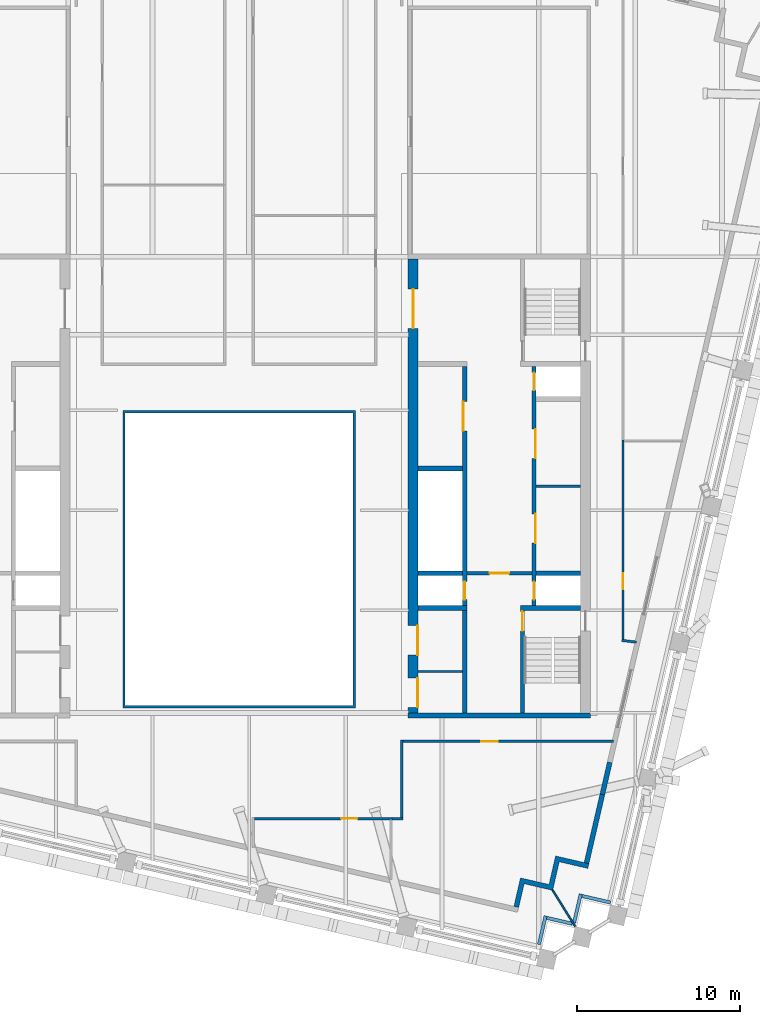
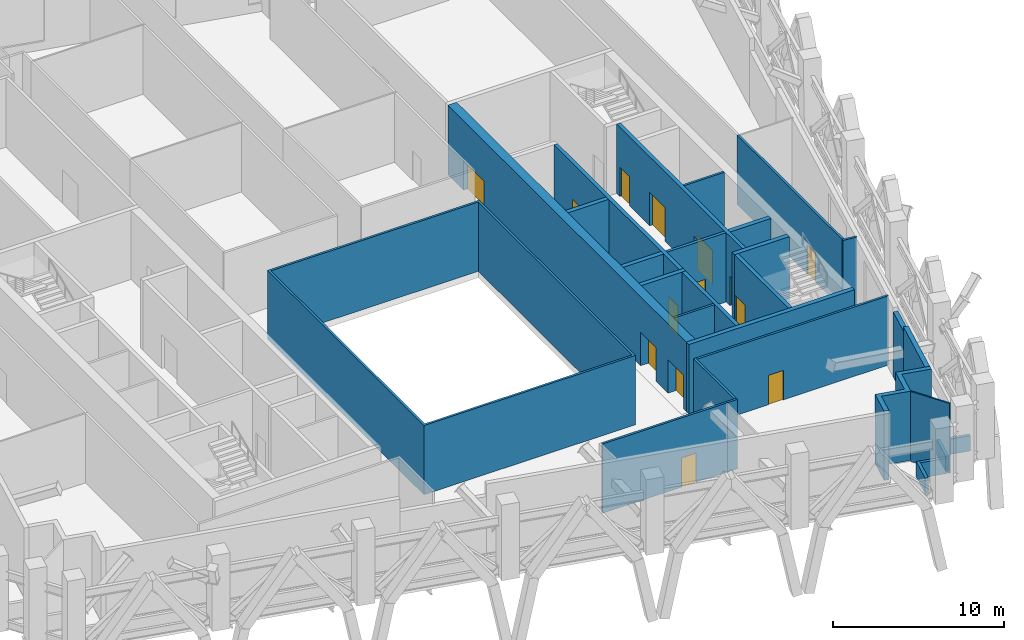
# One storey, part 7 of 19: 28 walls, 14 doors, 14 openings.
"""IFC4 building model written with IfcOpenShell, lengths in metres."""

from ifc_helpers import new_model, si_unit, direction, frame, frame_2d, origin, place, context, subcontext, project, spatial, polyline, rectangle, outline, extrude, material, layer, layer_set, type_object, element, fill, save


model = new_model("IFC4")

# Units and contexts
model_context = context("Model", 3, precision=1e-05, world=origin(), true_north=direction((0.0, 1.0)))
body_context = subcontext(model_context, "Body", "Model", "MODEL_VIEW")
ifc_project = project(units=[si_unit("LENGTHUNIT", "METRE"), si_unit("AREAUNIT", "SQUARE_METRE"), si_unit("VOLUMEUNIT", "CUBIC_METRE"), si_unit("PLANEANGLEUNIT", "RADIAN"), si_unit("MASSUNIT", "GRAM", prefix="KILO")], contexts=[model_context])

# Site, building, storey
site_placement = place(None, origin())
site = spatial("IfcSite", under=ifc_project, at=site_placement, CompositionType="ELEMENT")
building_placement = place(site_placement, origin())
building = spatial("IfcBuilding", under=site, at=building_placement, Name="Ogive Exchange Tower", CompositionType="ELEMENT")
storey_placement = place(building_placement, frame((0.0, 0.0, 297.60009765625)))
storey = spatial("IfcBuildingStorey", under=building, at=storey_placement, Name="L65", CompositionType="ELEMENT", Elevation=297.60009765625)

# Walls
ifc_material_1 = material(Name="Gypsum board partition")
ifc_layer_1 = layer(ifc_material_1, 0.14990234375)
ifc_layer_set_1 = layer_set([ifc_layer_1], Name="Core room partition 150 gypsum")
wall_type_1 = type_object("IfcWallType", Name="Core room partition 150 gypsum", PredefinedType="PARTITIONING", material=ifc_layer_set_1)
for number, where, z_axis, x_axis, name in (
    (1, (18.25, 11.5, 0.0), (0.0, 0.0, 1.0), (1.0, 0.0, 0.0), "E row A bay partition 1-1"),
    (2, (11.0, 0.10009765625, 0.0), (0.0, 0.0, 1.0), (1.0, 0.0, 0.0), "E south room partition"),
):
    element("IfcWall", number, at=place(storey_placement, frame(where, z_axis=z_axis, x_axis=x_axis)), inside=storey, type_object=wall_type_1, Name=name, PredefinedType="PARTITIONING", context=body_context, shape_type="SweptSolid", body=[
        extrude(rectangle(XDim=2.75, YDim=0.14990234375, at=frame_2d((1.375, 0.0))), origin(), (0.0, 0.0, 1.0), 4.949951171875),
    ])

# Wall, opening, door
ifc_material_2 = material(Name="Fire partition EI 60 150")
ifc_layer_2 = layer(ifc_material_2, 0.14990234375)
ifc_layer_set_2 = layer_set([ifc_layer_2], Name="Fire partition EI 60 150")
wall_type_2 = type_object("IfcWallType", Name="Fire partition EI 60 150", PredefinedType="PARTITIONING", material=ifc_layer_set_2)
wall_1_placement = place(storey_placement, frame((9.389892578125, -8.93994140625, 0.0), z_axis=(0.0, 0.0, 1.0), x_axis=(-1.0, 0.0, 0.0)))
wall_1 = element("IfcWall", 3, at=wall_1_placement, inside=storey, type_object=wall_type_2, Name="L65-PWL-031", PredefinedType="PARTITIONING", context=body_context, shape_type="SweptSolid", body=[
    extrude(rectangle(XDim=8.434814453125, YDim=0.14990234375, at=frame_2d((4.21728515625, 0.0))), origin(), (0.0, 0.0, 1.0), 4.949951171875),
])
opening_1_placement = place(wall_1_placement, frame((2.110107421875, 0.0, 0.0)))
opening_1 = element("IfcOpeningElement", 4, at=opening_1_placement, cuts=wall_1, Name="Opening L65-I13", PredefinedType="OPENING", context=body_context, shape_type="SweptSolid", body=[
    extrude(rectangle(XDim=1.0, YDim=2.10009765625, at=frame_2d((0.5, 1.050048828125))), frame((0.0, 0.0849609375, 0.0), z_axis=(0.0, -1.0, 0.0), x_axis=(1.0, 0.0, 0.0)), (0.0, 0.0, 1.0), 0.169921875),
])
ifc_material_3 = material(Name="Fire door FD 30S 1000 x 2100")
door_type_1 = type_object("IfcDoorType", Name="Fire door FD 30S 1000 x 2100", OperationType="NOTDEFINED", PredefinedType="DOOR", material=ifc_material_3)
door_1_placement = place(opening_1_placement, origin())
door_1 = element("IfcDoor", 5, at=door_1_placement, inside=storey, type_object=door_type_1, Name="L65-IDR-013", ObjectType="DT3", OperationType="SINGLE_SWING_RIGHT", OverallHeight=2.10009765625, OverallWidth=1.0, PredefinedType="DOOR", context=body_context, shape_type="SweptSolid", body=[
    extrude(rectangle(XDim=1.0, YDim=2.10009765625, at=frame_2d((0.5, 1.050048828125))), frame((0.0, 0.02490234375, 0.0), z_axis=(0.0, -1.0, 0.0), x_axis=(1.0, 0.0, 0.0)), (0.0, 0.0, 1.0), 0.050048828125),
])
fill(opening_1, door_1)

# Walls
wall_2_placement = place(storey_placement, frame((10.074951171875, -8.93994140625, 0.0), z_axis=(0.0, 0.0, 1.0), x_axis=(-1.0, 0.0, 0.0)))
element("IfcWall", 6, at=wall_2_placement, inside=storey, type_object=wall_type_2, Name="L65-PWL-035", PredefinedType="PARTITIONING", context=body_context, shape_type="SweptSolid", body=[
    extrude(rectangle(XDim=0.68505859375, YDim=0.14990234375, at=frame_2d((0.342529296875, 0.0))), origin(), (0.0, 0.0, 1.0), 4.949951171875),
])
wall_3_placement = place(storey_placement, frame((10.0, -4.125, 0.0), z_axis=(0.0, 0.0, 1.0), x_axis=(0.0, -1.0, 0.0)))
element("IfcWall", 7, at=wall_3_placement, inside=storey, type_object=wall_type_2, Name="L65-PWL-036", PredefinedType="PARTITIONING", context=body_context, shape_type="SweptSolid", body=[
    extrude(rectangle(XDim=4.739990234375, YDim=0.14990234375, at=frame_2d((2.3701171875, 0.0))), origin(), (0.0, 0.0, 1.0), 4.949951171875),
])

# Wall, opening, door
wall_4_placement = place(storey_placement, frame((23.013916015625, -4.199951171875, 0.0), z_axis=(0.0, 0.0, 1.0), x_axis=(-1.0, 0.0, 0.0)))
wall_4 = element("IfcWall", 8, at=wall_4_placement, inside=storey, type_object=wall_type_2, Name="L65-PWL-039", PredefinedType="PARTITIONING", context=body_context, shape_type="SweptSolid", body=[
    extrude(rectangle(XDim=12.93896484375, YDim=0.14990234375, at=frame_2d((6.469482421875, 0.0))), origin(), (0.0, 0.0, 1.0), 4.949951171875),
])
opening_2_placement = place(wall_4_placement, frame((7.114013671875, 0.0, 0.0)))
opening_2 = element("IfcOpeningElement", 9, at=opening_2_placement, cuts=wall_4, Name="Opening L65-I14", PredefinedType="OPENING", context=body_context, shape_type="SweptSolid", body=[
    extrude(rectangle(XDim=1.0, YDim=2.10009765625, at=frame_2d((0.5, 1.050048828125))), frame((0.0, 0.0849609375, 0.0), z_axis=(0.0, -1.0, 0.0), x_axis=(1.0, 0.0, 0.0)), (0.0, 0.0, 1.0), 0.169921875),
])
door_2_placement = place(opening_2_placement, origin())
door_2 = element("IfcDoor", 10, at=door_2_placement, inside=storey, type_object=door_type_1, Name="L65-IDR-014", ObjectType="DT3", OperationType="SINGLE_SWING_RIGHT", OverallHeight=2.10009765625, OverallWidth=1.0, PredefinedType="DOOR", context=body_context, shape_type="SweptSolid", body=[
    extrude(rectangle(XDim=1.0, YDim=2.10009765625, at=frame_2d((0.5, 1.050048828125))), frame((0.0, 0.02490234375, 0.0), z_axis=(0.0, -1.0, 0.0), x_axis=(1.0, 0.0, 0.0)), (0.0, 0.0, 1.0), 0.050048828125),
])
fill(opening_2, door_2)

# Wall
wall_5_placement = place(storey_placement, frame((23.52490234375, 2.009033203125, 0.0), z_axis=(0.0, 0.0, 1.0), x_axis=(0.993362737156, -0.115023790712, 0.0)))
element("IfcWall", 11, at=wall_5_placement, inside=storey, type_object=wall_type_2, Name="L65-PWL-040", PredefinedType="PARTITIONING", context=body_context, shape_type="SweptSolid", body=[
    extrude(rectangle(XDim=0.904296875, YDim=0.14990234375, at=frame_2d((0.4521484375, 0.0))), origin(), (0.0, 0.0, 1.0), 4.949951171875),
])

# Wall, opening, door
wall_6_placement = place(storey_placement, frame((23.60009765625, 14.330078125, 0.0), z_axis=(0.0, 0.0, 1.0), x_axis=(0.0, -1.0, 0.0)))
wall_6 = element("IfcWall", 12, at=wall_6_placement, inside=storey, type_object=wall_type_2, Name="L65-PWL-041", PredefinedType="PARTITIONING", context=body_context, shape_type="SweptSolid", body=[
    extrude(rectangle(XDim=12.255126953125, YDim=0.14990234375, at=frame_2d((6.12744140625, 0.0))), origin(), (0.0, 0.0, 1.0), 4.949951171875),
])
opening_3_placement = place(wall_6_placement, frame((8.179931640625, 0.0, 0.0)))
opening_3 = element("IfcOpeningElement", 13, at=opening_3_placement, cuts=wall_6, Name="Opening L65-I11", PredefinedType="OPENING", context=body_context, shape_type="SweptSolid", body=[
    extrude(rectangle(XDim=1.0, YDim=2.10009765625, at=frame_2d((0.5, 1.050048828125))), frame((0.0, 0.0849609375, 0.0), z_axis=(0.0, -1.0, 0.0), x_axis=(1.0, 0.0, 0.0)), (0.0, 0.0, 1.0), 0.169921875),
])
door_3_placement = place(opening_3_placement, origin())
door_3 = element("IfcDoor", 14, at=door_3_placement, inside=storey, type_object=door_type_1, Name="L65-IDR-011", ObjectType="DT3", OperationType="SINGLE_SWING_LEFT", OverallHeight=2.10009765625, OverallWidth=1.0, PredefinedType="DOOR", context=body_context, shape_type="SweptSolid", body=[
    extrude(rectangle(XDim=1.0, YDim=2.10009765625, at=frame_2d((0.5, 1.050048828125))), frame((0.0, 0.02490234375, 0.0), z_axis=(0.0, -1.0, 0.0), x_axis=(1.0, 0.0, 0.0)), (0.0, 0.0, 1.0), 0.050048828125),
])
fill(opening_3, door_3)

# Walls
ifc_material_4 = material(Name="Fire-resisting glass in steel frame", Category="steel")
ifc_layer_3 = layer(ifc_material_4, 0.14990234375)
ifc_layer_set_3 = layer_set([ifc_layer_3], Name="Fire-rated glazed wall 150")
wall_type_3 = type_object("IfcWallType", Name="Fire-rated glazed wall 150", PredefinedType="STANDARD", material=ifc_layer_set_3)
wall_7_placement = place(storey_placement, origin())
element("IfcWall", 15, at=wall_7_placement, inside=storey, type_object=wall_type_3, Name="Nave enclosure wall", PredefinedType="STANDARD", context=body_context, shape_type="SweptSolid", body=[
    extrude(outline(polyline([(-7.14990234375, -2.14990234375), (7.14990234375, -2.14990234375), (7.14990234375, 16.14990234375), (-7.14990234375, 16.14990234375), (-7.14990234375, -2.14990234375)]), holes=[polyline([(-7.0, -2.0), (-7.0, 16.0), (7.0, 16.0), (7.0, -2.0), (-7.0, -2.0)])]), origin(), (0.0, 0.0, 1.0), 4.949951171875),
])
ifc_material_5 = material(Name="Precast concrete C40/50", Category="concrete")
ifc_layer_4 = layer(ifc_material_5, 0.300048828125)
ifc_layer_set_4 = layer_set([ifc_layer_4], Name="Limestone-faced wall 300")
wall_type_4 = type_object("IfcWallType", Name="Limestone-faced wall 300", PredefinedType="STANDARD", material=ifc_layer_set_4)
wall_8_placement = place(storey_placement, frame((21.35888671875, -11.67822265625, 0.0), z_axis=(0.0, 0.0, 1.0), x_axis=(0.224917244583, 0.974377869766, 0.0)))
element("IfcWall", 16, at=wall_8_placement, inside=storey, type_object=wall_type_4, Name="External wall E2", PredefinedType="STANDARD", context=body_context, shape_type="SweptSolid", body=[
    extrude(rectangle(XDim=4.323486328125, YDim=0.300048828125, at=frame_2d((2.16162109375, 0.0))), origin(), (0.0, 0.0, 1.0), 4.949951171875),
])
wall_9_placement = place(storey_placement, origin())
element("IfcWall", 17, at=wall_9_placement, inside=storey, type_object=wall_type_4, Name="External corner wall C1", PredefinedType="STANDARD", context=body_context, shape_type="SweptSolid", body=[
    extrude(outline(polyline([(19.053955078125, -12.993408203125), (19.458740234375, -11.239501953125), (21.5048828125, -11.7119140625), (21.4375, -12.004150390625), (19.68359375, -11.599365234375), (19.27880859375, -13.353271484375), (17.52490234375, -12.9482421875), (17.1875, -14.409912109375), (16.89501953125, -14.34228515625), (17.300048828125, -12.58837890625), (19.053955078125, -12.993408203125)])), origin(), (0.0, 0.0, 1.0), 4.949951171875),
])
wall_10_placement = place(storey_placement, frame((22.331298828125, -7.465576171875, 0.0), z_axis=(0.0, 0.0, 1.0), x_axis=(0.225061237367, 0.974344620468, 0.0)))
element("IfcWall", 18, at=wall_10_placement, inside=storey, type_object=wall_type_4, Name="External wall E2", PredefinedType="STANDARD", context=body_context, shape_type="SweptSolid", body=[
    extrude(rectangle(XDim=2.032958984375, YDim=0.300048828125, at=frame_2d((1.0166015625, 0.0))), origin(), (0.0, 0.0, 1.0), 4.639892578125),
])
ifc_material_6 = material(Name="Laminated safety glass in steel frame", Category="steel")
ifc_layer_5 = layer(ifc_material_6, 0.10009765625)
ifc_layer_set_5 = layer_set([ifc_layer_5], Name="Loggia end screen 100")
wall_type_5 = type_object("IfcWallType", Name="Loggia end screen 100", PredefinedType="STANDARD", material=ifc_layer_set_5)
wall_11_placement = place(storey_placement, frame((19.27880859375, -13.353271484375, -0.050048828125), z_axis=(0.0, 0.0, 1.0), x_axis=(0.529914407191, -0.848051131154, 0.0)))
element("IfcWall", 19, at=wall_11_placement, inside=storey, type_object=wall_type_5, Name="Loggia end screen C1", PredefinedType="STANDARD", context=body_context, shape_type="SweptSolid", body=[
    extrude(rectangle(XDim=2.59619140625, YDim=0.10009765625, at=frame_2d((1.298095703125, 0.0))), origin(), (0.0, 0.0, 1.0), 5.0),
])
ifc_layer_6 = layer(ifc_material_5, 0.199951171875)
ifc_layer_set_6 = layer_set([ifc_layer_6], Name="Plant deck parapet 200")
wall_type_6 = type_object("IfcWallType", Name="Plant deck parapet 200", PredefinedType="STANDARD", material=ifc_layer_set_6)
wall_12_placement = place(storey_placement, frame((18.43896484375, -16.679443359375, -0.050048828125), z_axis=(0.0, 0.0, 1.0), x_axis=(0.224879318197, 0.974386623598, 0.0)))
element("IfcWall", 20, at=wall_12_placement, inside=storey, type_object=wall_type_6, Name="Plant deck parapet 2", PredefinedType="STANDARD", context=body_context, shape_type="SweptSolid", body=[
    extrude(rectangle(XDim=1.800048828125, YDim=0.199951171875, at=frame_2d((0.89990234375, 0.0))), origin(), (0.0, 0.0, 1.0), 1.099853515625),
])
wall_13_placement = place(storey_placement, frame((18.918701171875, -15.045654296875, -0.050048828125), z_axis=(0.0, 0.0, 1.0), x_axis=(0.97439375443, -0.224848418559, 0.0)))
element("IfcWall", 21, at=wall_13_placement, inside=storey, type_object=wall_type_6, Name="Plant deck parapet 3", PredefinedType="STANDARD", context=body_context, shape_type="SweptSolid", body=[
    extrude(rectangle(XDim=1.608154296875, YDim=0.199951171875, at=frame_2d((0.80419921875, 0.0))), origin(), (0.0, 0.0, 1.0), 1.099853515625),
])
wall_14_placement = place(storey_placement, frame((20.59765625, -15.33056640625, -0.050048828125), z_axis=(0.0, 0.0, 1.0), x_axis=(0.225008086135, 0.974356896201, 0.0)))
element("IfcWall", 22, at=wall_14_placement, inside=storey, type_object=wall_type_6, Name="Plant deck parapet 4", PredefinedType="STANDARD", context=body_context, shape_type="SweptSolid", body=[
    extrude(rectangle(XDim=1.800048828125, YDim=0.199951171875, at=frame_2d((0.89990234375, 0.0))), origin(), (0.0, 0.0, 1.0), 1.099853515625),
])
wall_15_placement = place(storey_placement, frame((21.07763671875, -13.696533203125, -0.050048828125), z_axis=(0.0, 0.0, 1.0), x_axis=(0.974350028141, -0.22503782496, 0.0)))
element("IfcWall", 23, at=wall_15_placement, inside=storey, type_object=wall_type_6, Name="Plant deck parapet 5", PredefinedType="STANDARD", context=body_context, shape_type="SweptSolid", body=[
    extrude(rectangle(XDim=1.7998046875, YDim=0.199951171875, at=frame_2d((0.89990234375, 0.0))), origin(), (0.0, 0.0, 1.0), 1.099853515625),
])

# Wall, opening, door
ifc_material_7 = material(Name="Concrete C70/85", Category="concrete")
ifc_layer_7 = layer(ifc_material_7, 0.199951171875)
ifc_layer_set_7 = layer_set([ifc_layer_7], Name="RC core wall 200 C70/85")
wall_type_7 = type_object("IfcWallType", Name="RC core wall 200 C70/85", PredefinedType="SHEAR", material=ifc_layer_set_7)
wall_16_placement = place(storey_placement, frame((14.0, 6.142822265625, 0.0), z_axis=(0.0, 0.0, 1.0), x_axis=(1.0, 0.0, 0.0)))
wall_16 = element("IfcWall", 24, at=wall_16_placement, inside=storey, type_object=wall_type_7, Name="E firefighting lobby wall", PredefinedType="SHEAR", context=body_context, shape_type="SweptSolid", body=[
    extrude(rectangle(XDim=4.0, YDim=0.199951171875, at=frame_2d((2.0, 0.0))), origin(), (0.0, 0.0, 1.0), 4.949951171875),
])
opening_4_placement = place(wall_16_placement, frame((1.39990234375, 0.0, 0.0)))
opening_4 = element("IfcOpeningElement", 25, at=opening_4_placement, cuts=wall_16, Name="Opening L65-C24", PredefinedType="OPENING", context=body_context, shape_type="SweptSolid", body=[
    extrude(rectangle(XDim=1.199951171875, YDim=2.10009765625, at=frame_2d((0.60009765625, 1.050048828125))), frame((0.0, 0.10986328125, 0.0), z_axis=(0.0, -1.0, 0.0), x_axis=(1.0, 0.0, 0.0)), (0.0, 0.0, 1.0), 0.219970703125),
])
ifc_material_8 = material(Name="Steel fire door", Category="steel")
door_type_2 = type_object("IfcDoorType", Name="Firefighting lobby door FD60 1200 x 2100", OperationType="NOTDEFINED", PredefinedType="DOOR", material=ifc_material_8)
door_4_placement = place(opening_4_placement, frame((1.199951171875, 0.0, 0.0), z_axis=(0.0, 0.0, 1.0), x_axis=(-1.0, 0.0, 0.0)))
door_4 = element("IfcDoor", 26, at=door_4_placement, inside=storey, type_object=door_type_2, Name="Firefighting lobby door", ObjectType="CD3", OperationType="SINGLE_SWING_RIGHT", OverallHeight=2.10009765625, OverallWidth=1.199951171875, PredefinedType="DOOR", context=body_context, shape_type="SweptSolid", body=[
    extrude(rectangle(XDim=1.199951171875, YDim=2.10009765625, at=frame_2d((0.60009765625, 1.050048828125))), frame((0.0, 0.02490234375, 0.0), z_axis=(0.0, -1.0, 0.0), x_axis=(1.0, 0.0, 0.0)), (0.0, 0.0, 1.0), 0.050048828125),
])
fill(opening_4, door_4)

ifc_layer_8 = layer(ifc_material_7, 0.25)
ifc_layer_set_8 = layer_set([ifc_layer_8], Name="RC core wall 250 C70/85")
wall_type_8 = type_object("IfcWallType", Name="RC core wall 250 C70/85", PredefinedType="SHEAR", material=ifc_layer_set_8)
wall_17_placement = place(storey_placement, frame((17.425048828125, -2.449951171875, 0.0), z_axis=(0.0, 0.0, 1.0), x_axis=(0.0, 1.0, 0.0)))
wall_17 = element("IfcWall", 27, at=wall_17_placement, inside=storey, type_object=wall_type_8, Name="E stair S front wall", PredefinedType="SHEAR", context=body_context, shape_type="SweptSolid", body=[
    extrude(rectangle(XDim=6.300048828125, YDim=0.25, at=frame_2d((3.14990234375, 0.0))), origin(), (0.0, 0.0, 1.0), 4.949951171875),
])
opening_5_placement = place(wall_17_placement, frame((5.050048828125, 0.0, 0.0)))
opening_5 = element("IfcOpeningElement", 28, at=opening_5_placement, cuts=wall_17, Name="Opening L65-C26", PredefinedType="OPENING", context=body_context, shape_type="SweptSolid", body=[
    extrude(rectangle(XDim=1.199951171875, YDim=2.10009765625, at=frame_2d((0.60009765625, 1.050048828125))), frame((0.0, 0.135009765625, 0.0), z_axis=(0.0, -1.0, 0.0), x_axis=(1.0, 0.0, 0.0)), (0.0, 0.0, 1.0), 0.27001953125),
])
door_type_3 = type_object("IfcDoorType", Name="Stair door FD90 1200 x 2100", OperationType="NOTDEFINED", PredefinedType="DOOR", material=ifc_material_8)
door_5_placement = place(opening_5_placement, frame((1.199951171875, 0.0, 0.0), z_axis=(0.0, 0.0, 1.0), x_axis=(-1.0, 0.0, 0.0)))
door_5 = element("IfcDoor", 29, at=door_5_placement, inside=storey, type_object=door_type_3, Name="Stair door", ObjectType="CD5", OperationType="SINGLE_SWING_RIGHT", OverallHeight=2.10009765625, OverallWidth=1.199951171875, PredefinedType="DOOR", context=body_context, shape_type="SweptSolid", body=[
    extrude(rectangle(XDim=1.199951171875, YDim=2.10009765625, at=frame_2d((0.60009765625, 1.050048828125))), frame((0.0, 0.02490234375, 0.0), z_axis=(0.0, -1.0, 0.0), x_axis=(1.0, 0.0, 0.0)), (0.0, 0.0, 1.0), 0.050048828125),
])
fill(opening_5, door_5)

# Wall, openings, doors
wall_18_placement = place(storey_placement, frame((18.125, 4.14990234375, 0.0), z_axis=(0.0, 0.0, 1.0), x_axis=(0.0, 1.0, 0.0)))
wall_18 = element("IfcWall", 30, at=wall_18_placement, inside=storey, type_object=wall_type_8, Name="E row A front wall", PredefinedType="SHEAR", context=body_context, shape_type="SweptSolid", body=[
    extrude(rectangle(XDim=14.7001953125, YDim=0.25, at=frame_2d((7.35009765625, 0.0))), origin(), (0.0, 0.0, 1.0), 4.949951171875),
])
opening_6_placement = place(wall_18_placement, frame((3.846435546875, 0.0, 0.0)))
opening_6 = element("IfcOpeningElement", 31, at=opening_6_placement, cuts=wall_18, Name="Opening L65-C18", PredefinedType="OPENING", context=body_context, shape_type="SweptSolid", body=[
    extrude(rectangle(XDim=1.800048828125, YDim=2.39990234375, at=frame_2d((0.89990234375, 1.199951171875))), frame((0.0, 0.135009765625, 0.0), z_axis=(0.0, -1.0, 0.0), x_axis=(1.0, 0.0, 0.0)), (0.0, 0.0, 1.0), 0.27001953125),
])
opening_7_placement = place(wall_18_placement, frame((9.0537109375, 0.0, 0.0)))
opening_7 = element("IfcOpeningElement", 32, at=opening_7_placement, cuts=wall_18, Name="Opening L65-C19", PredefinedType="OPENING", context=body_context, shape_type="SweptSolid", body=[
    extrude(rectangle(XDim=1.800048828125, YDim=2.39990234375, at=frame_2d((0.89990234375, 1.199951171875))), frame((0.0, 0.135009765625, 0.0), z_axis=(0.0, -1.0, 0.0), x_axis=(1.0, 0.0, 0.0)), (0.0, 0.0, 1.0), 0.27001953125),
])
opening_8_placement = place(wall_18_placement, frame((0.371337890625, 0.0, 0.0)))
opening_8 = element("IfcOpeningElement", 33, at=opening_8_placement, cuts=wall_18, Name="Opening L65-C20", PredefinedType="OPENING", context=body_context, shape_type="SweptSolid", body=[
    extrude(rectangle(XDim=1.10009765625, YDim=2.10009765625, at=frame_2d((0.550048828125, 1.050048828125))), frame((0.0, 0.135009765625, 0.0), z_axis=(0.0, -1.0, 0.0), x_axis=(1.0, 0.0, 0.0)), (0.0, 0.0, 1.0), 0.27001953125),
])
opening_9_placement = place(wall_18_placement, frame((13.228515625, 0.0, 0.0)))
opening_9 = element("IfcOpeningElement", 34, at=opening_9_placement, cuts=wall_18, Name="Opening L65-C21", PredefinedType="OPENING", context=body_context, shape_type="SweptSolid", body=[
    extrude(rectangle(XDim=1.10009765625, YDim=2.10009765625, at=frame_2d((0.550048828125, 1.050048828125))), frame((0.0, 0.135009765625, 0.0), z_axis=(0.0, -1.0, 0.0), x_axis=(1.0, 0.0, 0.0)), (0.0, 0.0, 1.0), 0.27001953125),
])
ifc_material_9 = material(Name="Stainless steel", Category="steel")
door_type_4 = type_object("IfcDoorType", Name="Lift landing door FD90 1100 x 2100", OperationType="SLIDING_TO_LEFT", PredefinedType="DOOR", material=ifc_material_9)
door_6_placement = place(opening_8_placement, origin())
door_6 = element("IfcDoor", 35, at=door_6_placement, inside=storey, type_object=door_type_4, Name="Lift landing door FF2", ObjectType="LD", OperationType="SLIDING_TO_LEFT", OverallHeight=2.10009765625, OverallWidth=1.10009765625, PredefinedType="DOOR", context=body_context, shape_type="SweptSolid", body=[
    extrude(rectangle(XDim=1.10009765625, YDim=2.10009765625, at=frame_2d((0.550048828125, 1.050048828125))), frame((0.0, 0.02490234375, 0.0), z_axis=(0.0, -1.0, 0.0), x_axis=(1.0, 0.0, 0.0)), (0.0, 0.0, 1.0), 0.050048828125),
])
fill(opening_8, door_6)
door_7_placement = place(opening_9_placement, origin())
door_7 = element("IfcDoor", 36, at=door_7_placement, inside=storey, type_object=door_type_4, Name="Lift landing door E-SH2", ObjectType="LD", OperationType="SLIDING_TO_LEFT", OverallHeight=2.10009765625, OverallWidth=1.10009765625, PredefinedType="DOOR", context=body_context, shape_type="SweptSolid", body=[
    extrude(rectangle(XDim=1.10009765625, YDim=2.10009765625, at=frame_2d((0.550048828125, 1.050048828125))), frame((0.0, 0.02490234375, 0.0), z_axis=(0.0, -1.0, 0.0), x_axis=(1.0, 0.0, 0.0)), (0.0, 0.0, 1.0), 0.050048828125),
])
fill(opening_9, door_7)
door_type_5 = type_object("IfcDoorType", Name="Plant room door FD60 1800 x 2400", OperationType="DOUBLE_DOOR_SINGLE_SWING", PredefinedType="DOOR", material=ifc_material_8)
door_8_placement = place(opening_6_placement, frame((1.800048828125, -0.2001953125, 0.0), z_axis=(0.0, 0.0, 1.0), x_axis=(-1.0, 0.0, 0.0)))
door_8 = element("IfcDoor", 37, at=door_8_placement, inside=storey, type_object=door_type_5, Name="Plant room door", ObjectType="CD1", OperationType="DOUBLE_DOOR_SINGLE_SWING", OverallHeight=2.39990234375, OverallWidth=1.800048828125, PredefinedType="DOOR", context=body_context, shape_type="SweptSolid", body=[
    extrude(rectangle(XDim=1.800048828125, YDim=2.39990234375, at=frame_2d((0.89990234375, 1.199951171875))), frame((0.0, -0.0751953125, 0.0), z_axis=(0.0, -1.0, 0.0), x_axis=(1.0, 0.0, 0.0)), (0.0, 0.0, 1.0), 0.050048828125),
])
fill(opening_6, door_8)
door_9_placement = place(opening_7_placement, frame((1.800048828125, -0.2001953125, 0.0), z_axis=(0.0, 0.0, 1.0), x_axis=(-1.0, 0.0, 0.0)))
door_9 = element("IfcDoor", 38, at=door_9_placement, inside=storey, type_object=door_type_5, Name="Plant room door", ObjectType="CD1", OperationType="DOUBLE_DOOR_SINGLE_SWING", OverallHeight=2.39990234375, OverallWidth=1.800048828125, PredefinedType="DOOR", context=body_context, shape_type="SweptSolid", body=[
    extrude(rectangle(XDim=1.800048828125, YDim=2.39990234375, at=frame_2d((0.89990234375, 1.199951171875))), frame((0.0, -0.0751953125, 0.0), z_axis=(0.0, -1.0, 0.0), x_axis=(1.0, 0.0, 0.0)), (0.0, 0.0, 1.0), 0.050048828125),
])
fill(opening_7, door_9)

wall_19_placement = place(storey_placement, frame((13.875, -2.449951171875, 0.0), z_axis=(0.0, 0.0, 1.0), x_axis=(0.0, 1.0, 0.0)))
wall_19 = element("IfcWall", 39, at=wall_19_placement, inside=storey, type_object=wall_type_8, Name="E row B front wall", PredefinedType="SHEAR", context=body_context, shape_type="SweptSolid", body=[
    extrude(rectangle(XDim=21.300048828125, YDim=0.25, at=frame_2d((10.64990234375, 0.0))), origin(), (0.0, 0.0, 1.0), 4.949951171875),
])
opening_10_placement = place(wall_19_placement, frame((17.335693359375, 0.0, 0.0)))
opening_10 = element("IfcOpeningElement", 40, at=opening_10_placement, cuts=wall_19, Name="Opening L65-C22", PredefinedType="OPENING", context=body_context, shape_type="SweptSolid", body=[
    extrude(rectangle(XDim=1.800048828125, YDim=2.39990234375, at=frame_2d((0.89990234375, 1.199951171875))), frame((0.0, 0.135009765625, 0.0), z_axis=(0.0, -1.0, 0.0), x_axis=(1.0, 0.0, 0.0)), (0.0, 0.0, 1.0), 0.27001953125),
])
opening_11_placement = place(wall_19_placement, frame((6.971435546875, 0.0, 0.0)))
opening_11 = element("IfcOpeningElement", 41, at=opening_11_placement, cuts=wall_19, Name="Opening L65-C23", PredefinedType="OPENING", context=body_context, shape_type="SweptSolid", body=[
    extrude(rectangle(XDim=1.10009765625, YDim=2.10009765625, at=frame_2d((0.550048828125, 1.050048828125))), frame((0.0, 0.135009765625, 0.0), z_axis=(0.0, -1.0, 0.0), x_axis=(1.0, 0.0, 0.0)), (0.0, 0.0, 1.0), 0.27001953125),
])
door_10_placement = place(opening_11_placement, origin())
door_10 = element("IfcDoor", 42, at=door_10_placement, inside=storey, type_object=door_type_4, Name="Lift landing door SV2", ObjectType="LD", OperationType="SLIDING_TO_LEFT", OverallHeight=2.10009765625, OverallWidth=1.10009765625, PredefinedType="DOOR", context=body_context, shape_type="SweptSolid", body=[
    extrude(rectangle(XDim=1.10009765625, YDim=2.10009765625, at=frame_2d((0.550048828125, 1.050048828125))), frame((0.0, 0.02490234375, 0.0), z_axis=(0.0, -1.0, 0.0), x_axis=(1.0, 0.0, 0.0)), (0.0, 0.0, 1.0), 0.050048828125),
])
fill(opening_11, door_10)
door_11_placement = place(opening_10_placement, origin())
door_11 = element("IfcDoor", 43, at=door_11_placement, inside=storey, type_object=door_type_5, Name="Plant room door", ObjectType="CD1", OperationType="DOUBLE_DOOR_SINGLE_SWING", OverallHeight=2.39990234375, OverallWidth=1.800048828125, PredefinedType="DOOR", context=body_context, shape_type="SweptSolid", body=[
    extrude(rectangle(XDim=1.800048828125, YDim=2.39990234375, at=frame_2d((0.89990234375, 1.199951171875))), frame((0.0, 0.125, 0.0), z_axis=(0.0, -1.0, 0.0), x_axis=(1.0, 0.0, 0.0)), (0.0, 0.0, 1.0), 0.050048828125),
])
fill(opening_10, door_11)

# Walls
ifc_layer_9 = layer(ifc_material_7, 0.300048828125)
ifc_layer_set_9 = layer_set([ifc_layer_9], Name="RC core wall 300 C70/85")
wall_type_9 = type_object("IfcWallType", Name="RC core wall 300 C70/85", PredefinedType="SHEAR", material=ifc_layer_set_9)
wall_20_placement = place(storey_placement, frame((10.39990234375, -2.60009765625, 0.0), z_axis=(0.0, 0.0, 1.0), x_axis=(1.0, 0.0, 0.0)))
element("IfcWall", 44, at=wall_20_placement, inside=storey, type_object=wall_type_9, Name="E south end wall", PredefinedType="SHEAR", context=body_context, shape_type="SweptSolid", body=[
    extrude(rectangle(XDim=11.2001953125, YDim=0.300048828125, at=frame_2d((5.60009765625, 0.0))), origin(), (0.0, 0.0, 1.0), 4.949951171875),
])
wall_21_placement = place(storey_placement, frame((17.300048828125, 4.0, 0.0), z_axis=(0.0, 0.0, 1.0), x_axis=(1.0, 0.0, 0.0)))
element("IfcWall", 45, at=wall_21_placement, inside=storey, type_object=wall_type_9, Name="E stair S north wall", PredefinedType="SHEAR", context=body_context, shape_type="SweptSolid", body=[
    extrude(rectangle(XDim=3.699951171875, YDim=0.300048828125, at=frame_2d((1.85009765625, 0.0))), origin(), (0.0, 0.0, 1.0), 4.949951171875),
])
wall_22_placement = place(storey_placement, frame((18.25, 6.142822265625, 0.0), z_axis=(0.0, 0.0, 1.0), x_axis=(1.0, 0.0, 0.0)))
element("IfcWall", 46, at=wall_22_placement, inside=storey, type_object=wall_type_9, Name="E row A divider 1", PredefinedType="SHEAR", context=body_context, shape_type="SweptSolid", body=[
    extrude(rectangle(XDim=2.75, YDim=0.300048828125, at=frame_2d((1.375, 0.0))), origin(), (0.0, 0.0, 1.0), 4.949951171875),
])
wall_23_placement = place(storey_placement, frame((11.0, 4.0, 0.0), z_axis=(0.0, 0.0, 1.0), x_axis=(1.0, 0.0, 0.0)))
element("IfcWall", 47, at=wall_23_placement, inside=storey, type_object=wall_type_9, Name="E row B divider 0", PredefinedType="SHEAR", context=body_context, shape_type="SweptSolid", body=[
    extrude(rectangle(XDim=3.0, YDim=0.300048828125, at=frame_2d((1.5, 0.0))), origin(), (0.0, 0.0, 1.0), 4.949951171875),
])
for number, where, z_axis, x_axis, name in (
    (48, (11.0, 6.142822265625, 0.0), (0.0, 0.0, 1.0), (1.0, 0.0, 0.0), "E row B divider 1"),
    (49, (11.0, 12.5712890625, 0.0), (0.0, 0.0, 1.0), (1.0, 0.0, 0.0), "E row B divider 4"),
):
    element("IfcWall", number, at=place(storey_placement, frame(where, z_axis=z_axis, x_axis=x_axis)), inside=storey, type_object=wall_type_9, Name=name, PredefinedType="SHEAR", context=body_context, shape_type="SweptSolid", body=[
        extrude(rectangle(XDim=2.75, YDim=0.300048828125, at=frame_2d((1.375, 0.0))), origin(), (0.0, 0.0, 1.0), 4.949951171875),
    ])

# Wall, openings, doors
ifc_layer_10 = layer(ifc_material_7, 0.60009765625)
ifc_layer_set_10 = layer_set([ifc_layer_10], Name="RC core wall 600 C70/85")
wall_type_10 = type_object("IfcWallType", Name="RC core wall 600 C70/85", PredefinedType="SHEAR", material=ifc_layer_set_10)
wall_24_placement = place(storey_placement, frame((10.699951171875, -2.449951171875, 0.0), z_axis=(0.0, 0.0, 1.0), x_axis=(0.0, 1.0, 0.0)))
wall_24 = element("IfcWall", 50, at=wall_24_placement, inside=storey, type_object=wall_type_10, Name="E inner wall", PredefinedType="SHEAR", context=body_context, shape_type="SweptSolid", body=[
    extrude(rectangle(XDim=27.89990234375, YDim=0.60009765625, at=frame_2d((13.949951171875, 0.0))), origin(), (0.0, 0.0, 1.0), 4.949951171875),
])
opening_12_placement = place(wall_24_placement, frame((23.64990234375, 0.0, 0.0)))
opening_12 = element("IfcOpeningElement", 51, at=opening_12_placement, cuts=wall_24, Name="Opening L65-C25", PredefinedType="OPENING", context=body_context, shape_type="SweptSolid", body=[
    extrude(rectangle(XDim=2.39990234375, YDim=2.10009765625, at=frame_2d((1.199951171875, 1.050048828125))), frame((0.0, 0.31005859375, 0.0), z_axis=(0.0, -1.0, 0.0), x_axis=(1.0, 0.0, 0.0)), (0.0, 0.0, 1.0), 0.6201171875),
])
opening_13_placement = place(wall_24_placement, frame((0.33740234375, 0.0, 0.0)))
opening_13 = element("IfcOpeningElement", 52, at=opening_13_placement, cuts=wall_24, Name="Opening L65-C30", PredefinedType="OPENING", context=body_context, shape_type="SweptSolid", body=[
    extrude(rectangle(XDim=1.800048828125, YDim=2.39990234375, at=frame_2d((0.89990234375, 1.199951171875))), frame((0.0, 0.31005859375, 0.0), z_axis=(0.0, -1.0, 0.0), x_axis=(1.0, 0.0, 0.0)), (0.0, 0.0, 1.0), 0.6201171875),
])
opening_14_placement = place(wall_24_placement, frame((3.5625, 0.0, 0.0)))
opening_14 = element("IfcOpeningElement", 53, at=opening_14_placement, cuts=wall_24, Name="Opening L65-C31", PredefinedType="OPENING", context=body_context, shape_type="SweptSolid", body=[
    extrude(rectangle(XDim=1.800048828125, YDim=2.39990234375, at=frame_2d((0.89990234375, 1.199951171875))), frame((0.0, 0.31005859375, 0.0), z_axis=(0.0, -1.0, 0.0), x_axis=(1.0, 0.0, 0.0)), (0.0, 0.0, 1.0), 0.6201171875),
])
ifc_material_10 = material(Name="Glazed steel fire door", Category="steel")
door_type_6 = type_object("IfcDoorType", Name="Lift lobby double door FD60 2400 x 2100", OperationType="DOUBLE_DOOR_SINGLE_SWING", PredefinedType="DOOR", material=ifc_material_10)
door_12_placement = place(opening_12_placement, origin())
door_12 = element("IfcDoor", 54, at=door_12_placement, inside=storey, type_object=door_type_6, Name="Lift lobby double door", ObjectType="CD4", OperationType="DOUBLE_DOOR_SINGLE_SWING", OverallHeight=2.10009765625, OverallWidth=2.39990234375, PredefinedType="DOOR", context=body_context, shape_type="SweptSolid", body=[
    extrude(rectangle(XDim=2.39990234375, YDim=2.10009765625, at=frame_2d((1.199951171875, 1.050048828125))), frame((0.0, 0.02490234375, 0.0), z_axis=(0.0, -1.0, 0.0), x_axis=(1.0, 0.0, 0.0)), (0.0, 0.0, 1.0), 0.050048828125),
])
fill(opening_12, door_12)
door_13_placement = place(opening_13_placement, origin())
door_13 = element("IfcDoor", 55, at=door_13_placement, inside=storey, type_object=door_type_5, Name="Plant room door", ObjectType="CD1", OperationType="DOUBLE_DOOR_SINGLE_SWING", OverallHeight=2.39990234375, OverallWidth=1.800048828125, PredefinedType="DOOR", context=body_context, shape_type="SweptSolid", body=[
    extrude(rectangle(XDim=1.800048828125, YDim=2.39990234375, at=frame_2d((0.89990234375, 1.199951171875))), frame((0.0, -0.25, 0.0), z_axis=(0.0, -1.0, 0.0), x_axis=(1.0, 0.0, 0.0)), (0.0, 0.0, 1.0), 0.050048828125),
])
fill(opening_13, door_13)
door_14_placement = place(opening_14_placement, origin())
door_14 = element("IfcDoor", 56, at=door_14_placement, inside=storey, type_object=door_type_5, Name="Plant room door", ObjectType="CD1", OperationType="DOUBLE_DOOR_SINGLE_SWING", OverallHeight=2.39990234375, OverallWidth=1.800048828125, PredefinedType="DOOR", context=body_context, shape_type="SweptSolid", body=[
    extrude(rectangle(XDim=1.800048828125, YDim=2.39990234375, at=frame_2d((0.89990234375, 1.199951171875))), frame((0.0, -0.25, 0.0), z_axis=(0.0, -1.0, 0.0), x_axis=(1.0, 0.0, 0.0)), (0.0, 0.0, 1.0), 0.050048828125),
])
fill(opening_14, door_14)

save(model, "model.ifc")
